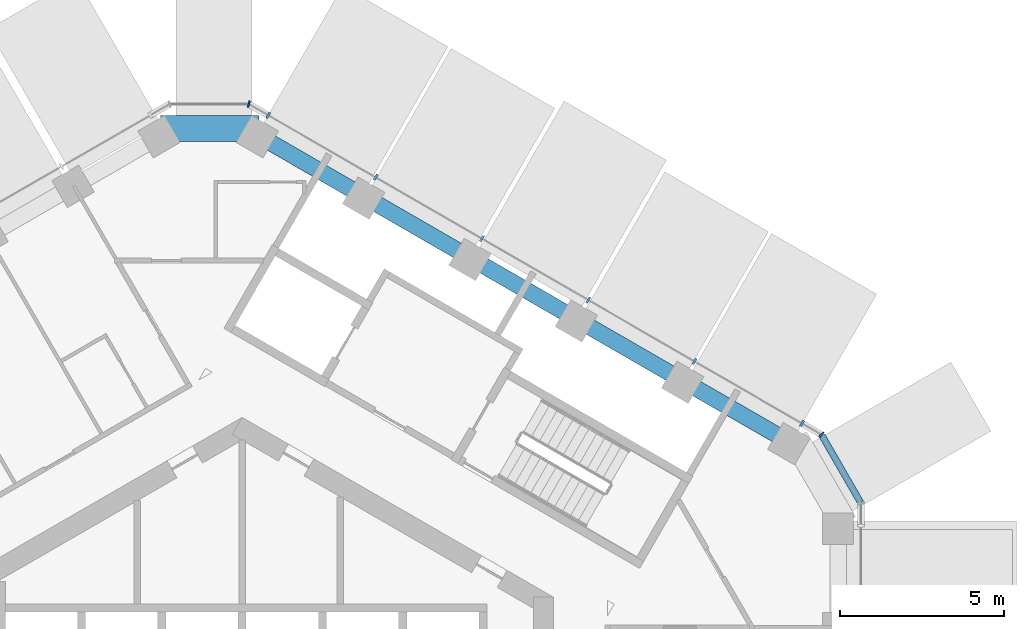
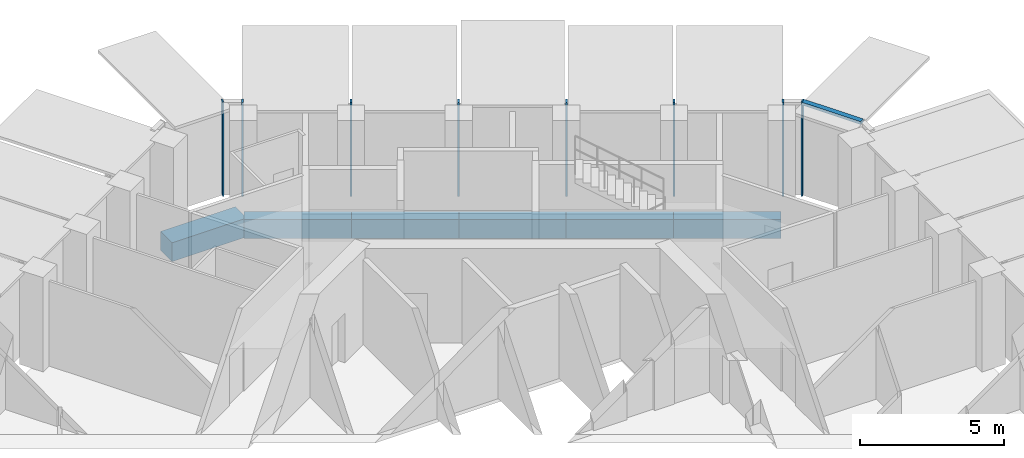
# One storey, part 7 of 24: 9 members, 6 beams, 3 elements without a shape of their own.
"""IFC4 building model written with IfcOpenShell, lengths in metres."""

from ifc_helpers import new_model, si_unit, direction, frame, origin, origin_2d, place, context, subcontext, project, spatial, rectangle, extrude, material, layer, layer_set, material_profile, profile_set, type_object, element, aggregate, save


model = new_model("IFC4")

# Units and contexts
model_context = context("Model", 3, precision=1e-05, world=origin(), true_north=direction((0.0, 1.0)))
body_context = subcontext(model_context, "Body", "Model", "MODEL_VIEW")
ifc_project = project(units=[si_unit("LENGTHUNIT", "METRE"), si_unit("AREAUNIT", "SQUARE_METRE"), si_unit("VOLUMEUNIT", "CUBIC_METRE"), si_unit("PLANEANGLEUNIT", "RADIAN"), si_unit("MASSUNIT", "GRAM", prefix="KILO")], contexts=[model_context])

# Site, building, storey
site_placement = place(None, origin())
site = spatial("IfcSite", under=ifc_project, at=site_placement, CompositionType="ELEMENT")
building_placement = place(site_placement, origin())
building = spatial("IfcBuilding", under=site, at=building_placement, Name="Ayvan Gate Tower", CompositionType="ELEMENT")
storey_placement = place(building_placement, frame((0.0, 0.0, 210.10009765625)))
storey = spatial("IfcBuildingStorey", under=building, at=storey_placement, Name="L56", CompositionType="ELEMENT", Elevation=210.10009765625)

# Beams
ifc_material_1 = material(Name="Concrete C40/50", Category="concrete")
ifc_material_profile_1 = material_profile(ifc_material_1, rectangle(XDim=0.800048828125, YDim=0.800048828125, at=origin_2d()), Name="RC 800x800")
ifc_profile_set_1 = profile_set([ifc_material_profile_1], Name="Concrete C40/50")
beam_type_1 = type_object("IfcBeamType", Name="Corner spandrel beam RC 800x800 C40/50", PredefinedType="BEAM", material=ifc_profile_set_1)
beam_1_placement = place(storey_placement, frame((0.511962890625, 19.78369140625, -0.800048828125), z_axis=(-1.0, 0.0, 0.0), x_axis=(0.0, -1.0, 0.0)))
element("IfcBeam", 1, at=beam_1_placement, inside=storey, type_object=beam_type_1, Name="SB-L56-12", PredefinedType="BEAM", context=body_context, shape_type="SweptSolid", body=[
    extrude(rectangle(XDim=0.800048828125, YDim=0.800048828125, at=origin_2d()), origin(), (0.0, 0.0, 1.0), 3.0),
])
ifc_material_profile_2 = material_profile(ifc_material_1, rectangle(XDim=0.5, YDim=0.800048828125, at=origin_2d()), Name="RC 500x800")
ifc_profile_set_2 = profile_set([ifc_material_profile_2], Name="Concrete C40/50")
beam_type_2 = type_object("IfcBeamType", Name="Spandrel beam RC 500x800 C40/50", PredefinedType="BEAM", material=ifc_profile_set_2)
beam_2_placement = place(storey_placement, frame((16.6865234375, 10.225341796875, -0.800048828125), z_axis=(-0.866022320763, 0.500005339912, 0.0), x_axis=(-0.500005339912, -0.866022320763, 0.0)))
element("IfcBeam", 2, at=beam_2_placement, inside=storey, type_object=beam_type_2, Name="SB-L56-7", PredefinedType="BEAM", context=body_context, shape_type="SweptSolid", body=[
    extrude(rectangle(XDim=0.5, YDim=0.800048828125, at=origin_2d()), origin(), (0.0, 0.0, 1.0), 3.7353515625),
])
beam_3_placement = place(storey_placement, frame((13.45166015625, 12.093017578125, -0.800048828125), z_axis=(-0.866050622288, 0.499956317727, 0.0), x_axis=(-0.499956317727, -0.866050622288, 0.0)))
element("IfcBeam", 3, at=beam_3_placement, inside=storey, type_object=beam_type_2, Name="SB-L56-8", PredefinedType="BEAM", context=body_context, shape_type="SweptSolid", body=[
    extrude(rectangle(XDim=0.5, YDim=0.800048828125, at=origin_2d()), origin(), (0.0, 0.0, 1.0), 3.735107421875),
])
beam_4_placement = place(storey_placement, frame((10.216796875, 13.96044921875, -0.800048828125), z_axis=(-0.866022320763, 0.500005339912, 0.0), x_axis=(-0.500005339912, -0.866022320763, 0.0)))
element("IfcBeam", 4, at=beam_4_placement, inside=storey, type_object=beam_type_2, Name="SB-L56-9", PredefinedType="BEAM", context=body_context, shape_type="SweptSolid", body=[
    extrude(rectangle(XDim=0.5, YDim=0.800048828125, at=origin_2d()), origin(), (0.0, 0.0, 1.0), 3.7353515625),
])
beam_5_placement = place(storey_placement, frame((6.98193359375, 15.828125, -0.800048828125), z_axis=(-0.866038659768, 0.499977039259, 0.0), x_axis=(-0.499977039259, -0.866038659768, 0.0)))
element("IfcBeam", 5, at=beam_5_placement, inside=storey, type_object=beam_type_2, Name="SB-L56-10", PredefinedType="BEAM", context=body_context, shape_type="SweptSolid", body=[
    extrude(rectangle(XDim=0.5, YDim=0.800048828125, at=origin_2d()), origin(), (0.0, 0.0, 1.0), 3.735595703125),
])
beam_6_placement = place(storey_placement, frame((3.746826171875, 17.69580078125, -0.800048828125), z_axis=(-0.866022320763, 0.500005339912, 0.0), x_axis=(-0.500005339912, -0.866022320763, 0.0)))
element("IfcBeam", 6, at=beam_6_placement, inside=storey, type_object=beam_type_2, Name="SB-L56-11", PredefinedType="BEAM", context=body_context, shape_type="SweptSolid", body=[
    extrude(rectangle(XDim=0.5, YDim=0.800048828125, at=origin_2d()), origin(), (0.0, 0.0, 1.0), 3.7353515625),
])

# Curtain wall, members
ifc_material_2 = material(Name="Bronze anodised aluminium", Category="aluminium")
ifc_layer_1 = layer(ifc_material_2, 0.199951171875)
ifc_layer_set_1 = layer_set([ifc_layer_1], Name="Bronze anodised aluminium")
curtain_wall_type_1 = type_object("IfcCurtainWallType", Name="Stick curtain wall CW-2", PredefinedType="NOTDEFINED", material=ifc_layer_set_1)
curtain_wall_1_placement = place(storey_placement, origin())
curtain_wall_1 = element("IfcCurtainWall", 7, at=curtain_wall_1_placement, inside=storey, type_object=curtain_wall_type_1, Name="Stick curtain wall CW-2 L56", PredefinedType="NOTDEFINED")
ifc_material_profile_3 = material_profile(ifc_material_2, rectangle(XDim=0.199951171875, YDim=0.070068359375, at=origin_2d()), Name="Stick curtain wall CW-2 mullion 200 x 70")
ifc_profile_set_3 = profile_set([ifc_material_profile_3], Name="Bronze anodised aluminium")
member_type_1 = type_object("IfcMemberType", Name="Stick curtain wall CW-2 mullion 200 x 70", PredefinedType="MULLION", material=ifc_profile_set_3)
member_1_placement = place(storey_placement, frame((17.0859375, 10.786865234375, 0.0), z_axis=(0.0, 0.0, 1.0), x_axis=(0.5, 0.866025403784, 0.0)))
member_1 = element("IfcMember", 8, at=member_1_placement, type_object=member_type_1, Name="CW-2 mullion 1", PredefinedType="MULLION", context=body_context, shape_type="SweptSolid", body=[
    extrude(rectangle(XDim=0.199951171875, YDim=0.070068359375, at=origin_2d()), origin(), (0.0, 0.0, 1.0), 4.0),
])
member_2_placement = place(storey_placement, frame((13.80908203125, 12.6787109375, 0.0), z_axis=(0.0, 0.0, 1.0), x_axis=(0.5, 0.866025403784, 0.0)))
member_2 = element("IfcMember", 9, at=member_2_placement, type_object=member_type_1, Name="CW-2 mullion 2", PredefinedType="MULLION", context=body_context, shape_type="SweptSolid", body=[
    extrude(rectangle(XDim=0.199951171875, YDim=0.070068359375, at=origin_2d()), origin(), (0.0, 0.0, 1.0), 4.0),
])
member_3_placement = place(storey_placement, frame((10.56494140625, 14.5517578125, 0.0), z_axis=(0.0, 0.0, 1.0), x_axis=(0.5, 0.866025403784, 0.0)))
member_3 = element("IfcMember", 10, at=member_3_placement, type_object=member_type_1, Name="CW-2 mullion 3", PredefinedType="MULLION", context=body_context, shape_type="SweptSolid", body=[
    extrude(rectangle(XDim=0.199951171875, YDim=0.070068359375, at=origin_2d()), origin(), (0.0, 0.0, 1.0), 4.0),
])
member_4_placement = place(storey_placement, frame((7.31982421875, 16.42529296875, 0.0), z_axis=(0.0, 0.0, 1.0), x_axis=(0.5, 0.866025403784, 0.0)))
member_4 = element("IfcMember", 11, at=member_4_placement, type_object=member_type_1, Name="CW-2 mullion 4", PredefinedType="MULLION", context=body_context, shape_type="SweptSolid", body=[
    extrude(rectangle(XDim=0.199951171875, YDim=0.070068359375, at=origin_2d()), origin(), (0.0, 0.0, 1.0), 4.0),
])
member_5_placement = place(storey_placement, frame((4.074951171875, 18.298828125, 0.0), z_axis=(0.0, 0.0, 1.0), x_axis=(0.5, 0.866025403784, 0.0)))
member_5 = element("IfcMember", 12, at=member_5_placement, type_object=member_type_1, Name="CW-2 mullion 5", PredefinedType="MULLION", context=body_context, shape_type="SweptSolid", body=[
    extrude(rectangle(XDim=0.199951171875, YDim=0.070068359375, at=origin_2d()), origin(), (0.0, 0.0, 1.0), 4.0),
])
member_6_placement = place(storey_placement, frame((0.798583984375, 20.1904296875, 0.0), z_axis=(0.0, 0.0, 1.0), x_axis=(0.5, 0.866025403784, 0.0)))
member_6 = element("IfcMember", 13, at=member_6_placement, type_object=member_type_1, Name="CW-2 mullion 6", PredefinedType="MULLION", context=body_context, shape_type="SweptSolid", body=[
    extrude(rectangle(XDim=0.199951171875, YDim=0.070068359375, at=origin_2d()), origin(), (0.0, 0.0, 1.0), 4.0),
])
aggregate(curtain_wall_1, [member_1, member_2, member_3, member_4, member_5, member_6])

# Curtain wall, member
ifc_layer_2 = layer(ifc_material_2, 0.199951171875)
ifc_layer_set_2 = layer_set([ifc_layer_2], Name="Bronze anodised aluminium")
curtain_wall_type_2 = type_object("IfcCurtainWallType", Name="Stick curtain wall CW-6", PredefinedType="NOTDEFINED", material=ifc_layer_set_2)
curtain_wall_2_placement = place(storey_placement, origin())
curtain_wall_2 = element("IfcCurtainWall", 14, at=curtain_wall_2_placement, inside=storey, type_object=curtain_wall_type_2, Name="Stick curtain wall CW-6 L56", PredefinedType="NOTDEFINED")
ifc_material_profile_4 = material_profile(ifc_material_2, rectangle(XDim=0.199951171875, YDim=0.050048828125, at=origin_2d()), Name="Stick curtain wall CW-6 mullion 200 x 50")
ifc_profile_set_4 = profile_set([ifc_material_profile_4], Name="Bronze anodised aluminium")
member_type_2 = type_object("IfcMemberType", Name="Stick curtain wall CW-6 mullion 200 x 50", PredefinedType="MULLION", material=ifc_profile_set_4)
member_7_placement = place(storey_placement, frame((17.67919921875, 10.4443359375, 0.0), z_axis=(0.0, 0.0, 1.0), x_axis=(0.707106781187, 0.707106781187, 0.0)))
member_7 = element("IfcMember", 15, at=member_7_placement, type_object=member_type_2, Name="CW-6 mullion 3", PredefinedType="MULLION", context=body_context, shape_type="SweptSolid", body=[
    extrude(rectangle(XDim=0.199951171875, YDim=0.050048828125, at=origin_2d()), origin(), (0.0, 0.0, 1.0), 4.0),
])

curtain_wall_3_placement = place(storey_placement, origin())
curtain_wall_3 = element("IfcCurtainWall", 16, at=curtain_wall_3_placement, inside=storey, type_object=curtain_wall_type_2, Name="Stick curtain wall CW-6 L56", PredefinedType="NOTDEFINED")
member_8_placement = place(storey_placement, frame((0.205322265625, 20.53271484375, 0.0), z_axis=(0.0, 0.0, 1.0), x_axis=(0.258819045103, 0.965925826289, 0.0)))
member_8 = element("IfcMember", 17, at=member_8_placement, type_object=member_type_2, Name="CW-6 mullion 2", PredefinedType="MULLION", context=body_context, shape_type="SweptSolid", body=[
    extrude(rectangle(XDim=0.199951171875, YDim=0.050048828125, at=origin_2d()), origin(), (0.0, 0.0, 1.0), 4.0),
])
aggregate(curtain_wall_3, [member_8])

# Member
ifc_material_profile_5 = material_profile(ifc_material_2, rectangle(XDim=0.199951171875, YDim=0.1201171875, at=origin_2d()), Name="Stick curtain wall CW-6 transom 200 x 120")
ifc_profile_set_5 = profile_set([ifc_material_profile_5], Name="Bronze anodised aluminium")
member_type_3 = type_object("IfcMemberType", Name="Stick curtain wall CW-6 transom 200 x 120", PredefinedType="USERDEFINED", material=ifc_profile_set_5)
member_9_placement = place(storey_placement, frame((18.8740234375, 8.374755859375, 3.93994140625), z_axis=(-0.500014398087, 0.866017090885, 0.0), x_axis=(-0.866017090885, -0.500014398087, 0.0)))
member_9 = element("IfcMember", 18, at=member_9_placement, type_object=member_type_3, Name="CW-6 transom 2", ObjectType="TRANSOM", PredefinedType="USERDEFINED", context=body_context, shape_type="SweptSolid", body=[
    extrude(rectangle(XDim=0.199951171875, YDim=0.1201171875, at=origin_2d()), origin(), (0.0, 0.0, 1.0), 2.36474609375),
])

aggregate(curtain_wall_2, [member_7, member_9])

save(model, "model.ifc")
